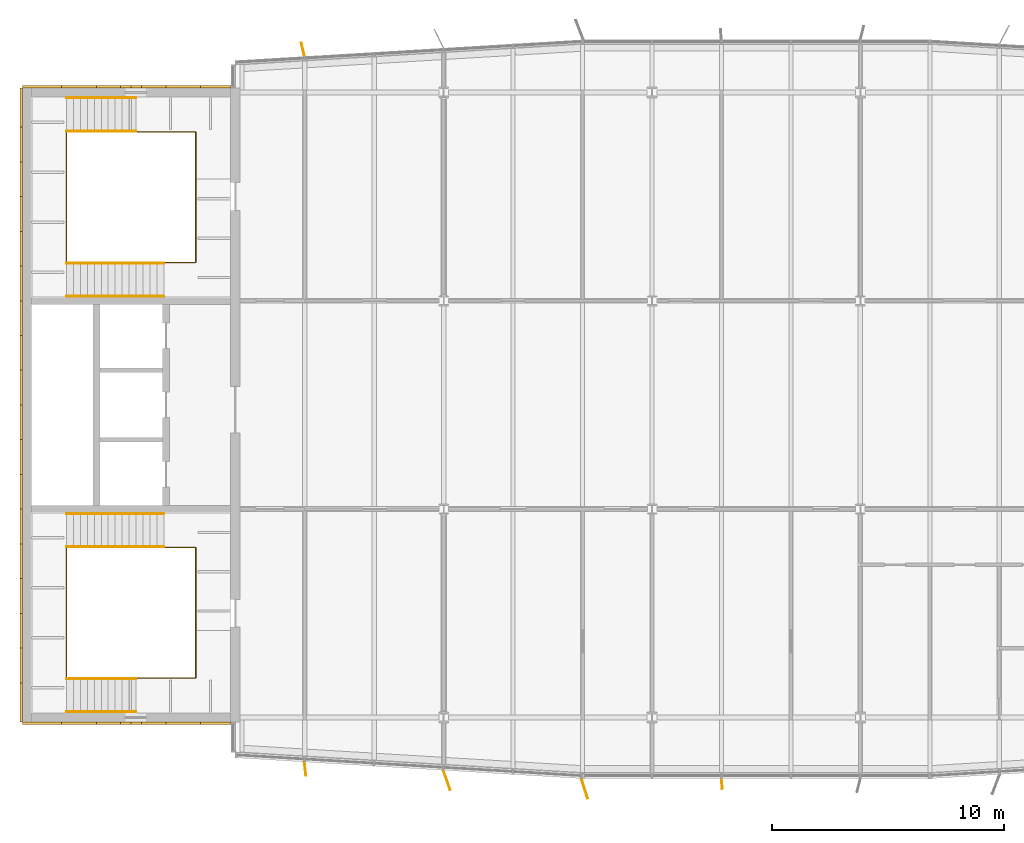
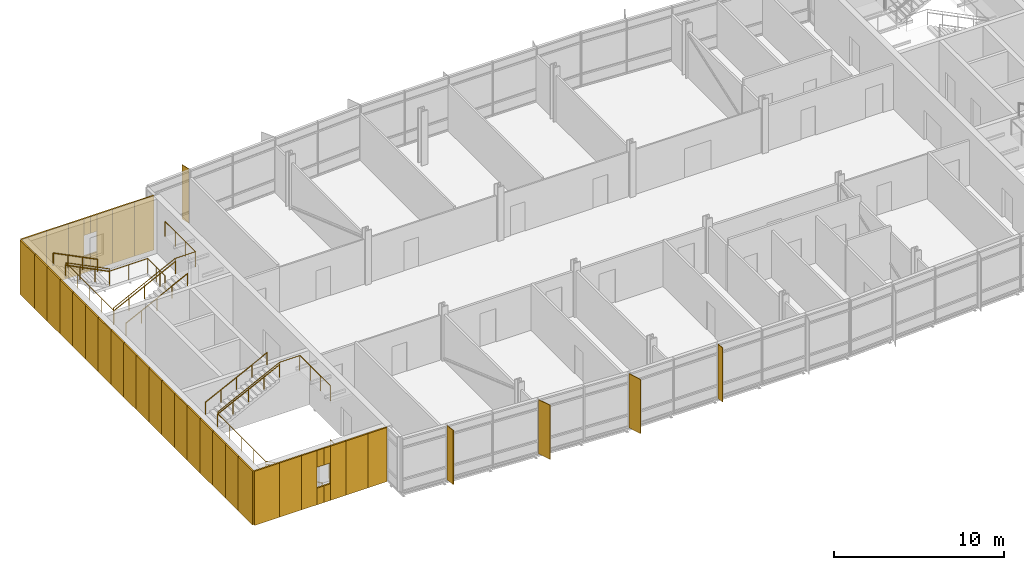
# One storey, part 15 of 17: 38 coverings, 10 railings, 5 shading devices.
"""IFC4 building model written with IfcOpenShell, lengths in metres."""

from ifc_helpers import new_model, si_unit, direction, frame, origin, origin_2d, place, context, subcontext, project, spatial, rectangle, circle, extrude, material, layer, layer_set, type_object, element, save


model = new_model("IFC4")

# Units and contexts
model_context = context("Model", 3, precision=1e-05, world=origin(), true_north=direction((0.0, 1.0)))
body_context = subcontext(model_context, "Body", "Model", "MODEL_VIEW")
ifc_project = project(units=[si_unit("LENGTHUNIT", "METRE"), si_unit("AREAUNIT", "SQUARE_METRE"), si_unit("VOLUMEUNIT", "CUBIC_METRE"), si_unit("PLANEANGLEUNIT", "RADIAN"), si_unit("MASSUNIT", "GRAM", prefix="KILO")], contexts=[model_context])

# Site, building, storey
site_placement = place(None, origin())
site = spatial("IfcSite", under=ifc_project, at=site_placement, CompositionType="ELEMENT")
building_placement = place(site_placement, origin())
building = spatial("IfcBuilding", under=site, at=building_placement, Name="Azimuth Sports and Learning Centre", CompositionType="ELEMENT")
storey_placement = place(building_placement, frame((0.0, 0.0, 36.300048828125)))
storey = spatial("IfcBuildingStorey", under=building, at=storey_placement, Name="L07", CompositionType="ELEMENT", Elevation=36.300048828125)

# Coverings
ifc_material_1 = material(Name="Cladding panel")
ifc_layer_1 = layer(ifc_material_1, 0.10009765625)
ifc_layer_set_1 = layer_set([ifc_layer_1], Name="Cladding panel")
covering_type = type_object("IfcCoveringType", Name="Cladding panel 100", PredefinedType="CLADDING", material=ifc_layer_set_1)
covering_1_placement = place(storey_placement, frame((54.64990234375, 89.75, 0.0), z_axis=(0.0, 0.0, 1.0), x_axis=(1.0, 0.0, 0.0)))
element("IfcCovering", 1, at=covering_1_placement, inside=storey, type_object=covering_type, Name="Cladding panel S-CORE W L07 1", PredefinedType="CLADDING", context=body_context, shape_type="SweptSolid", body=[
    extrude(rectangle(XDim=1.699951171875, YDim=0.10009765625, at=origin_2d()), origin(), (0.0, 0.0, 1.0), 3.89990234375),
])
covering_2_placement = place(storey_placement, frame((56.25, 89.75, 0.0), z_axis=(0.0, 0.0, 1.0), x_axis=(1.0, 0.0, 0.0)))
element("IfcCovering", 2, at=covering_2_placement, inside=storey, type_object=covering_type, Name="Cladding panel S-CORE W L07 2", PredefinedType="CLADDING", context=body_context, shape_type="SweptSolid", body=[
    extrude(rectangle(XDim=1.5, YDim=0.10009765625, at=origin_2d()), origin(), (0.0, 0.0, 1.0), 3.89990234375),
])
covering_3_placement = place(storey_placement, frame((57.52490234375, 89.75, 0.0), z_axis=(0.0, 0.0, 1.0), x_axis=(1.0, 0.0, 0.0)))
element("IfcCovering", 3, at=covering_3_placement, inside=storey, type_object=covering_type, Name="Cladding panel S-CORE W L07 3", PredefinedType="CLADDING", context=body_context, shape_type="SweptSolid", body=[
    extrude(rectangle(XDim=1.050048828125, YDim=0.10009765625, at=origin_2d()), origin(), (0.0, 0.0, 1.0), 3.89990234375),
])
for number, where, z_axis, x_axis, name in (
    (4, (58.27490234375, 89.75, 0.0), (0.0, 0.0, 1.0), (1.0, 0.0, 0.0), "Cladding panel S-CORE W L07 4"),
    (5, (58.27490234375, 89.75, 2.7001953125), (0.0, 0.0, 1.0), (1.0, 0.0, 0.0), "Cladding panel S-CORE W L07 5"),
):
    element("IfcCovering", number, at=place(storey_placement, frame(where, z_axis=z_axis, x_axis=x_axis)), inside=storey, type_object=covering_type, Name=name, PredefinedType="CLADDING", context=body_context, shape_type="SweptSolid", body=[
        extrude(rectangle(XDim=0.449951171875, YDim=0.10009765625, at=origin_2d()), origin(), (0.0, 0.0, 1.0), 1.199951171875),
    ])
covering_4_placement = place(storey_placement, frame((59.47509765625, 89.75, 0.0), z_axis=(0.0, 0.0, 1.0), x_axis=(1.0, 0.0, 0.0)))
element("IfcCovering", 6, at=covering_4_placement, inside=storey, type_object=covering_type, Name="Cladding panel S-CORE W L07 6", PredefinedType="CLADDING", context=body_context, shape_type="SweptSolid", body=[
    extrude(rectangle(XDim=1.050048828125, YDim=0.10009765625, at=origin_2d()), origin(), (0.0, 0.0, 1.0), 3.89990234375),
])
for number, where, z_axis, x_axis, name in (
    (7, (58.72509765625, 89.75, 0.0), (0.0, 0.0, 1.0), (1.0, 0.0, 0.0), "Cladding panel S-CORE W L07 7"),
    (8, (58.72509765625, 89.75, 2.7001953125), (0.0, 0.0, 1.0), (1.0, 0.0, 0.0), "Cladding panel S-CORE W L07 8"),
):
    element("IfcCovering", number, at=place(storey_placement, frame(where, z_axis=z_axis, x_axis=x_axis)), inside=storey, type_object=covering_type, Name=name, PredefinedType="CLADDING", context=body_context, shape_type="SweptSolid", body=[
        extrude(rectangle(XDim=0.449951171875, YDim=0.10009765625, at=origin_2d()), origin(), (0.0, 0.0, 1.0), 1.199951171875),
    ])
covering_5_placement = place(storey_placement, frame((60.75, 89.75, 0.0), z_axis=(0.0, 0.0, 1.0), x_axis=(1.0, 0.0, 0.0)))
element("IfcCovering", 9, at=covering_5_placement, inside=storey, type_object=covering_type, Name="Cladding panel S-CORE W L07 9", PredefinedType="CLADDING", context=body_context, shape_type="SweptSolid", body=[
    extrude(rectangle(XDim=1.5, YDim=0.10009765625, at=origin_2d()), origin(), (0.0, 0.0, 1.0), 3.89990234375),
])
for number, where, z_axis, x_axis, name in (
    (10, (62.159912109375, 89.75, 0.0), (0.0, 0.0, 1.0), (1.0, 0.0, 0.0), "Cladding panel S-CORE W L07 10"),
    (11, (62.159912109375, 117.25, 0.0), (0.0, 0.0, 1.0), (-1.0, 0.0, 0.0), "Cladding panel N-CORE W L07 1"),
):
    element("IfcCovering", number, at=place(storey_placement, frame(where, z_axis=z_axis, x_axis=x_axis)), inside=storey, type_object=covering_type, Name=name, PredefinedType="CLADDING", context=body_context, shape_type="SweptSolid", body=[
        extrude(rectangle(XDim=1.320068359375, YDim=0.10009765625, at=origin_2d()), origin(), (0.0, 0.0, 1.0), 3.89990234375),
    ])
covering_6_placement = place(storey_placement, frame((60.75, 117.25, 0.0), z_axis=(0.0, 0.0, 1.0), x_axis=(-1.0, 0.0, 0.0)))
element("IfcCovering", 12, at=covering_6_placement, inside=storey, type_object=covering_type, Name="Cladding panel N-CORE W L07 2", PredefinedType="CLADDING", context=body_context, shape_type="SweptSolid", body=[
    extrude(rectangle(XDim=1.5, YDim=0.10009765625, at=origin_2d()), origin(), (0.0, 0.0, 1.0), 3.89990234375),
])
covering_7_placement = place(storey_placement, frame((59.47509765625, 117.25, 0.0), z_axis=(0.0, 0.0, 1.0), x_axis=(-1.0, 0.0, 0.0)))
element("IfcCovering", 13, at=covering_7_placement, inside=storey, type_object=covering_type, Name="Cladding panel N-CORE W L07 3", PredefinedType="CLADDING", context=body_context, shape_type="SweptSolid", body=[
    extrude(rectangle(XDim=1.050048828125, YDim=0.10009765625, at=origin_2d()), origin(), (0.0, 0.0, 1.0), 3.89990234375),
])
for number, where, z_axis, x_axis, name in (
    (14, (58.72509765625, 117.25, 0.0), (0.0, 0.0, 1.0), (-1.0, 0.0, 0.0), "Cladding panel N-CORE W L07 4"),
    (15, (58.72509765625, 117.25, 2.7001953125), (0.0, 0.0, 1.0), (-1.0, 0.0, 0.0), "Cladding panel N-CORE W L07 5"),
):
    element("IfcCovering", number, at=place(storey_placement, frame(where, z_axis=z_axis, x_axis=x_axis)), inside=storey, type_object=covering_type, Name=name, PredefinedType="CLADDING", context=body_context, shape_type="SweptSolid", body=[
        extrude(rectangle(XDim=0.449951171875, YDim=0.10009765625, at=origin_2d()), origin(), (0.0, 0.0, 1.0), 1.199951171875),
    ])
covering_8_placement = place(storey_placement, frame((57.52490234375, 117.25, 0.0), z_axis=(0.0, 0.0, 1.0), x_axis=(-1.0, 0.0, 0.0)))
element("IfcCovering", 16, at=covering_8_placement, inside=storey, type_object=covering_type, Name="Cladding panel N-CORE W L07 6", PredefinedType="CLADDING", context=body_context, shape_type="SweptSolid", body=[
    extrude(rectangle(XDim=1.050048828125, YDim=0.10009765625, at=origin_2d()), origin(), (0.0, 0.0, 1.0), 3.89990234375),
])
for number, where, z_axis, x_axis, name in (
    (17, (58.27490234375, 117.25, 0.0), (0.0, 0.0, 1.0), (-1.0, 0.0, 0.0), "Cladding panel N-CORE W L07 7"),
    (18, (58.27490234375, 117.25, 2.7001953125), (0.0, 0.0, 1.0), (-1.0, 0.0, 0.0), "Cladding panel N-CORE W L07 8"),
):
    element("IfcCovering", number, at=place(storey_placement, frame(where, z_axis=z_axis, x_axis=x_axis)), inside=storey, type_object=covering_type, Name=name, PredefinedType="CLADDING", context=body_context, shape_type="SweptSolid", body=[
        extrude(rectangle(XDim=0.449951171875, YDim=0.10009765625, at=origin_2d()), origin(), (0.0, 0.0, 1.0), 1.199951171875),
    ])
covering_9_placement = place(storey_placement, frame((56.25, 117.25, 0.0), z_axis=(0.0, 0.0, 1.0), x_axis=(-1.0, 0.0, 0.0)))
element("IfcCovering", 19, at=covering_9_placement, inside=storey, type_object=covering_type, Name="Cladding panel N-CORE W L07 9", PredefinedType="CLADDING", context=body_context, shape_type="SweptSolid", body=[
    extrude(rectangle(XDim=1.5, YDim=0.10009765625, at=origin_2d()), origin(), (0.0, 0.0, 1.0), 3.89990234375),
])
for number, where, z_axis, x_axis, name in (
    (20, (54.64990234375, 117.25, 0.0), (0.0, 0.0, 1.0), (-1.0, 0.0, 0.0), "Cladding panel N-CORE W L07 10"),
    (21, (53.75, 116.35009765625, 0.0), (0.0, 0.0, 1.0), (0.0, -1.0, 0.0), "Cladding panel W-CORE W L07 1"),
):
    element("IfcCovering", number, at=place(storey_placement, frame(where, z_axis=z_axis, x_axis=x_axis)), inside=storey, type_object=covering_type, Name=name, PredefinedType="CLADDING", context=body_context, shape_type="SweptSolid", body=[
        extrude(rectangle(XDim=1.699951171875, YDim=0.10009765625, at=origin_2d()), origin(), (0.0, 0.0, 1.0), 3.89990234375),
    ])
for number, where, z_axis, x_axis, name in (
    (22, (53.75, 114.75, 0.0), (0.0, 0.0, 1.0), (0.0, -1.0, 0.0), "Cladding panel W-CORE W L07 2"),
    (23, (53.75, 113.25, 0.0), (0.0, 0.0, 1.0), (0.0, -1.0, 0.0), "Cladding panel W-CORE W L07 3"),
    (24, (53.75, 111.75, 0.0), (0.0, 0.0, 1.0), (0.0, -1.0, 0.0), "Cladding panel W-CORE W L07 4"),
    (25, (53.75, 110.25, 0.0), (0.0, 0.0, 1.0), (0.0, -1.0, 0.0), "Cladding panel W-CORE W L07 5"),
    (26, (53.75, 108.75, 0.0), (0.0, 0.0, 1.0), (0.0, -1.0, 0.0), "Cladding panel W-CORE W L07 6"),
    (27, (53.75, 107.25, 0.0), (0.0, 0.0, 1.0), (0.0, -1.0, 0.0), "Cladding panel W-CORE W L07 7"),
    (28, (53.75, 105.75, 0.0), (0.0, 0.0, 1.0), (0.0, -1.0, 0.0), "Cladding panel W-CORE W L07 8"),
    (29, (53.75, 104.25, 0.0), (0.0, 0.0, 1.0), (0.0, -1.0, 0.0), "Cladding panel W-CORE W L07 9"),
    (30, (53.75, 102.75, 0.0), (0.0, 0.0, 1.0), (0.0, -1.0, 0.0), "Cladding panel W-CORE W L07 10"),
    (31, (53.75, 101.25, 0.0), (0.0, 0.0, 1.0), (0.0, -1.0, 0.0), "Cladding panel W-CORE W L07 11"),
    (32, (53.75, 99.75, 0.0), (0.0, 0.0, 1.0), (0.0, -1.0, 0.0), "Cladding panel W-CORE W L07 12"),
    (33, (53.75, 98.25, 0.0), (0.0, 0.0, 1.0), (0.0, -1.0, 0.0), "Cladding panel W-CORE W L07 13"),
    (34, (53.75, 96.75, 0.0), (0.0, 0.0, 1.0), (0.0, -1.0, 0.0), "Cladding panel W-CORE W L07 14"),
    (35, (53.75, 95.25, 0.0), (0.0, 0.0, 1.0), (0.0, -1.0, 0.0), "Cladding panel W-CORE W L07 15"),
    (36, (53.75, 93.75, 0.0), (0.0, 0.0, 1.0), (0.0, -1.0, 0.0), "Cladding panel W-CORE W L07 16"),
    (37, (53.75, 92.25, 0.0), (0.0, 0.0, 1.0), (0.0, -1.0, 0.0), "Cladding panel W-CORE W L07 17"),
):
    element("IfcCovering", number, at=place(storey_placement, frame(where, z_axis=z_axis, x_axis=x_axis)), inside=storey, type_object=covering_type, Name=name, PredefinedType="CLADDING", context=body_context, shape_type="SweptSolid", body=[
        extrude(rectangle(XDim=1.5, YDim=0.10009765625, at=origin_2d()), origin(), (0.0, 0.0, 1.0), 3.89990234375),
    ])
covering_10_placement = place(storey_placement, frame((53.75, 90.64990234375, 0.0), z_axis=(0.0, 0.0, 1.0), x_axis=(0.0, -1.0, 0.0)))
element("IfcCovering", 38, at=covering_10_placement, inside=storey, type_object=covering_type, Name="Cladding panel W-CORE W L07 18", PredefinedType="CLADDING", context=body_context, shape_type="SweptSolid", body=[
    extrude(rectangle(XDim=1.699951171875, YDim=0.10009765625, at=origin_2d()), origin(), (0.0, 0.0, 1.0), 3.89990234375),
])

# Shading devices
ifc_material_2 = material(Name="Aluminium", Category="aluminium")
ifc_layer_2 = layer(ifc_material_2, 0.0400390625)
ifc_layer_set_2 = layer_set([ifc_layer_2], Name="Aluminium")
shading_device_type_1 = type_object("IfcShadingDeviceType", Name="Shading fin 450", PredefinedType="JALOUSIE", material=ifc_layer_set_2)
shading_device_placement = place(storey_placement, frame((84.01953125, 87.1357421875, 0.0), z_axis=(0.0, 0.0, 1.0), x_axis=(0.086979796274, -0.996210075757, 0.0)))
element("IfcShadingDevice", 39, at=shading_device_placement, inside=storey, type_object=shading_device_type_1, Name="Shading fin F07-004", PredefinedType="JALOUSIE", context=body_context, shape_type="SweptSolid", body=[
    extrude(rectangle(XDim=0.449951171875, YDim=0.0400390625, at=origin_2d()), origin(), (0.0, 0.0, 1.0), 3.89990234375),
])
ifc_material_3 = material(Name="Aluminium", Category="aluminium")
ifc_layer_3 = layer(ifc_material_3, 0.0400390625)
ifc_layer_set_3 = layer_set([ifc_layer_3], Name="Aluminium")
shading_device_type_2 = type_object("IfcShadingDeviceType", Name="Shading fin 600", PredefinedType="JALOUSIE", material=ifc_layer_set_3)
for number, where, z_axis, x_axis, name in (
    (40, (66.018798828125, 87.7822265625, 0.0), (0.0, 0.0, 1.0), (0.110221187796, -0.993907083062, 0.0), "Shading fin F07-001"),
    (41, (65.920654296875, 118.851806640625, 0.0), (0.0, 0.0, 1.0), (-0.228270881104, 0.973597660659, 0.0), "Shading fin F07-014"),
):
    element("IfcShadingDevice", number, at=place(storey_placement, frame(where, z_axis=z_axis, x_axis=x_axis)), inside=storey, type_object=shading_device_type_2, Name=name, PredefinedType="JALOUSIE", context=body_context, shape_type="SweptSolid", body=[
        extrude(rectangle(XDim=0.60009765625, YDim=0.0400390625, at=origin_2d()), origin(), (0.0, 0.0, 1.0), 3.89990234375),
    ])
ifc_material_4 = material(Name="Aluminium", Category="aluminium")
ifc_layer_4 = layer(ifc_material_4, 0.0400390625)
ifc_layer_set_4 = layer_set([ifc_layer_4], Name="Aluminium")
shading_device_type_3 = type_object("IfcShadingDeviceType", Name="Shading fin 900", PredefinedType="JALOUSIE", material=ifc_layer_set_4)
for number, where, z_axis, x_axis, name in (
    (42, (72.135009765625, 87.2958984375, 0.0), (0.0, 0.0, 1.0), (0.332025201964, -0.94327051542, 0.0), "Shading fin F07-002"),
    (43, (78.0849609375, 86.93310546875, 0.0), (0.0, 0.0, 1.0), (0.298224547315, -0.954495740891, 0.0), "Shading fin F07-003"),
):
    element("IfcShadingDevice", number, at=place(storey_placement, frame(where, z_axis=z_axis, x_axis=x_axis)), inside=storey, type_object=shading_device_type_3, Name=name, PredefinedType="JALOUSIE", context=body_context, shape_type="SweptSolid", body=[
        extrude(rectangle(XDim=0.89990234375, YDim=0.0400390625, at=origin_2d()), origin(), (0.0, 0.0, 1.0), 3.89990234375),
    ])

# Railings
ifc_material_5 = material(Name="Stainless steel", Category="steel")
railing_type_1 = type_object("IfcRailingType", Name="Stair guard 1100", PredefinedType="GUARDRAIL", material=ifc_material_5)
railing_1_placement = place(storey_placement, frame((61.2900390625, 93.75, 0.0)))
element("IfcRailing", 44, at=railing_1_placement, inside=storey, type_object=railing_type_1, Name="Guard W1 L07 well", PredefinedType="GUARDRAIL", context=body_context, shape_type="SweptSolid", body=[
    extrude(circle(Radius=0.02392578125, at=origin_2d()), frame((0.0, 0.0, 1.076171875), z_axis=(0.0, -1.0, 0.0), x_axis=(1.0, 0.0, 0.0)), (0.0, 0.0, 1.0), 2.0400390625),
    extrude(circle(Radius=0.02392578125, at=origin_2d()), frame((0.0, -2.0400390625, 1.076171875), z_axis=(-1.0, 0.0, 0.0), x_axis=(0.0, -1.0, 0.0)), (0.0, 0.0, 1.0), 2.580078125),
    extrude(circle(Radius=0.02392578125, at=origin_2d()), frame((-2.580078125, -2.0400390625, 1.076171875), z_axis=(0.0, 0.0, 1.0), x_axis=(1.0, 0.0, 0.0)), (0.0, 0.0, 1.0), 0.14990234375),
    extrude(circle(Radius=0.02392578125, at=origin_2d()), frame((-2.580078125, -2.0400390625, 1.22607421875), z_axis=(-0.894427191, 0.0, 0.4472135955), x_axis=(0.0, -1.0, 0.0)), (0.0, 0.0, 1.0), 3.35400390625),
    extrude(circle(Radius=0.02392578125, at=origin_2d()), frame((-5.580078125, -2.0400390625, 2.72607421875), z_axis=(0.0, 1.0, 0.0), x_axis=(-1.0, 0.0, 0.0)), (0.0, 0.0, 1.0), 5.630126953125),
    extrude(circle(Radius=0.02392578125, at=origin_2d()), frame((-5.580078125, 3.590087890625, 2.72607421875), z_axis=(0.0, 0.0, 1.0), x_axis=(1.0, 0.0, 0.0)), (0.0, 0.0, 1.0), 0.150146484375),
    extrude(circle(Radius=0.02392578125, at=origin_2d()), frame((-5.580078125, 3.590087890625, 2.8759765625), z_axis=(0.894437589381, 0.0, 0.447192798132), x_axis=(0.0, 1.0, 0.0)), (0.0, 0.0, 1.0), 4.695556640625),
    extrude(circle(Radius=0.02392578125, at=origin_2d()), frame((-1.380126953125, 3.590087890625, 4.97607421875), z_axis=(1.0, 0.0, 0.0), x_axis=(0.0, 1.0, 0.0)), (0.0, 0.0, 1.0), 1.380126953125),
    extrude(circle(Radius=0.02392578125, at=origin_2d()), frame((0.0, 3.590087890625, 4.97607421875), z_axis=(0.0, -1.0, 0.0), x_axis=(1.0, 0.0, 0.0)), (0.0, 0.0, 1.0), 3.590087890625),
    extrude(circle(Radius=0.01611328125, at=origin_2d()), origin(), (0.0, 0.0, 1.0), 1.052001953125),
    extrude(circle(Radius=0.01611328125, at=origin_2d()), frame((0.0, -1.02001953125, 0.0)), (0.0, 0.0, 1.0), 1.052001953125),
    extrude(circle(Radius=0.01611328125, at=origin_2d()), frame((0.0, -2.0400390625, 0.0)), (0.0, 0.0, 1.0), 1.052001953125),
    extrude(circle(Radius=0.01611328125, at=origin_2d()), frame((-1.2900390625, -2.0400390625, 0.0)), (0.0, 0.0, 1.0), 1.052001953125),
    extrude(circle(Radius=0.01611328125, at=origin_2d()), frame((-2.580078125, -2.0400390625, 0.0)), (0.0, 0.0, 1.0), 1.052001953125),
    extrude(circle(Radius=0.01611328125, at=origin_2d()), frame((-2.580078125, -2.0400390625, 0.14990234375)), (0.0, 0.0, 1.0), 1.052001953125),
    extrude(circle(Radius=0.01611328125, at=origin_2d()), frame((-3.580078125, -2.0400390625, 0.64990234375)), (0.0, 0.0, 1.0), 1.052001953125),
    extrude(circle(Radius=0.01611328125, at=origin_2d()), frame((-4.580078125, -2.0400390625, 1.14990234375)), (0.0, 0.0, 1.0), 1.052001953125),
    extrude(circle(Radius=0.01611328125, at=origin_2d()), frame((-5.580078125, -2.0400390625, 1.64990234375)), (0.0, 0.0, 1.0), 1.052001953125),
    extrude(circle(Radius=0.01611328125, at=origin_2d()), frame((-5.580078125, -0.632568359375, 1.64990234375)), (0.0, 0.0, 1.0), 1.052001953125),
    extrude(circle(Radius=0.01611328125, at=origin_2d()), frame((-5.580078125, 0.77490234375, 1.64990234375)), (0.0, 0.0, 1.0), 1.052001953125),
    extrude(circle(Radius=0.01611328125, at=origin_2d()), frame((-5.580078125, 2.1826171875, 1.64990234375)), (0.0, 0.0, 1.0), 1.052001953125),
    extrude(circle(Radius=0.01611328125, at=origin_2d()), frame((-5.580078125, 3.590087890625, 1.64990234375)), (0.0, 0.0, 1.0), 1.052001953125),
    extrude(circle(Radius=0.01611328125, at=origin_2d()), frame((-5.580078125, 3.590087890625, 1.800048828125)), (0.0, 0.0, 1.0), 1.052001953125),
    extrude(circle(Radius=0.01611328125, at=origin_2d()), frame((-4.530029296875, 3.590087890625, 2.324951171875)), (0.0, 0.0, 1.0), 1.052001953125),
    extrude(circle(Radius=0.01611328125, at=origin_2d()), frame((-3.47998046875, 3.590087890625, 2.85009765625)), (0.0, 0.0, 1.0), 1.052001953125),
    extrude(circle(Radius=0.01611328125, at=origin_2d()), frame((-2.43017578125, 3.590087890625, 3.375)), (0.0, 0.0, 1.0), 1.052001953125),
    extrude(circle(Radius=0.01611328125, at=origin_2d()), frame((-1.380126953125, 3.590087890625, 3.89990234375)), (0.0, 0.0, 1.0), 1.052001953125),
    extrude(circle(Radius=0.01611328125, at=origin_2d()), frame((0.0, 3.590087890625, 3.89990234375)), (0.0, 0.0, 1.0), 1.052001953125),
    extrude(circle(Radius=0.01611328125, at=origin_2d()), frame((0.0, 2.393310546875, 3.89990234375)), (0.0, 0.0, 1.0), 1.052001953125),
    extrude(circle(Radius=0.01611328125, at=origin_2d()), frame((0.0, 1.19677734375, 3.89990234375)), (0.0, 0.0, 1.0), 1.052001953125),
    extrude(circle(Radius=0.01611328125, at=origin_2d()), frame((0.0, 0.0, 3.89990234375)), (0.0, 0.0, 1.0), 1.052001953125),
])
railing_2_placement = place(storey_placement, frame((61.2900390625, 113.25, 0.0)))
element("IfcRailing", 45, at=railing_2_placement, inside=storey, type_object=railing_type_1, Name="Guard W2 L07 well", PredefinedType="GUARDRAIL", context=body_context, shape_type="SweptSolid", body=[
    extrude(circle(Radius=0.02392578125, at=origin_2d()), frame((0.0, 0.0, 1.076171875), z_axis=(0.0, 1.0, 0.0), x_axis=(-1.0, 0.0, 0.0)), (0.0, 0.0, 1.0), 2.0400390625),
    extrude(circle(Radius=0.02392578125, at=origin_2d()), frame((0.0, 2.0400390625, 1.076171875), z_axis=(-1.0, 0.0, 0.0), x_axis=(0.0, -1.0, 0.0)), (0.0, 0.0, 1.0), 2.580078125),
    extrude(circle(Radius=0.02392578125, at=origin_2d()), frame((-2.580078125, 2.0400390625, 1.076171875), z_axis=(0.0, 0.0, 1.0), x_axis=(1.0, 0.0, 0.0)), (0.0, 0.0, 1.0), 0.14990234375),
    extrude(circle(Radius=0.02392578125, at=origin_2d()), frame((-2.580078125, 2.0400390625, 1.22607421875), z_axis=(-0.894427191, 0.0, 0.4472135955), x_axis=(0.0, -1.0, 0.0)), (0.0, 0.0, 1.0), 3.35400390625),
    extrude(circle(Radius=0.02392578125, at=origin_2d()), frame((-5.580078125, 2.0400390625, 2.72607421875), z_axis=(0.0, -1.0, 0.0), x_axis=(1.0, 0.0, 0.0)), (0.0, 0.0, 1.0), 5.630126953125),
    extrude(circle(Radius=0.02392578125, at=origin_2d()), frame((-5.580078125, -3.590087890625, 2.72607421875), z_axis=(0.0, 0.0, 1.0), x_axis=(1.0, 0.0, 0.0)), (0.0, 0.0, 1.0), 0.150146484375),
    extrude(circle(Radius=0.02392578125, at=origin_2d()), frame((-5.580078125, -3.590087890625, 2.8759765625), z_axis=(0.894437589381, 0.0, 0.447192798132), x_axis=(0.0, 1.0, 0.0)), (0.0, 0.0, 1.0), 4.695556640625),
    extrude(circle(Radius=0.02392578125, at=origin_2d()), frame((-1.380126953125, -3.590087890625, 4.97607421875), z_axis=(1.0, 0.0, 0.0), x_axis=(0.0, 1.0, 0.0)), (0.0, 0.0, 1.0), 1.380126953125),
    extrude(circle(Radius=0.02392578125, at=origin_2d()), frame((0.0, -3.590087890625, 4.97607421875), z_axis=(0.0, 1.0, 0.0), x_axis=(-1.0, 0.0, 0.0)), (0.0, 0.0, 1.0), 3.590087890625),
    extrude(circle(Radius=0.01611328125, at=origin_2d()), origin(), (0.0, 0.0, 1.0), 1.052001953125),
    extrude(circle(Radius=0.01611328125, at=origin_2d()), frame((0.0, 1.02001953125, 0.0)), (0.0, 0.0, 1.0), 1.052001953125),
    extrude(circle(Radius=0.01611328125, at=origin_2d()), frame((0.0, 2.0400390625, 0.0)), (0.0, 0.0, 1.0), 1.052001953125),
    extrude(circle(Radius=0.01611328125, at=origin_2d()), frame((-1.2900390625, 2.0400390625, 0.0)), (0.0, 0.0, 1.0), 1.052001953125),
    extrude(circle(Radius=0.01611328125, at=origin_2d()), frame((-2.580078125, 2.0400390625, 0.0)), (0.0, 0.0, 1.0), 1.052001953125),
    extrude(circle(Radius=0.01611328125, at=origin_2d()), frame((-2.580078125, 2.0400390625, 0.14990234375)), (0.0, 0.0, 1.0), 1.052001953125),
    extrude(circle(Radius=0.01611328125, at=origin_2d()), frame((-3.580078125, 2.0400390625, 0.64990234375)), (0.0, 0.0, 1.0), 1.052001953125),
    extrude(circle(Radius=0.01611328125, at=origin_2d()), frame((-4.580078125, 2.0400390625, 1.14990234375)), (0.0, 0.0, 1.0), 1.052001953125),
    extrude(circle(Radius=0.01611328125, at=origin_2d()), frame((-5.580078125, 2.0400390625, 1.64990234375)), (0.0, 0.0, 1.0), 1.052001953125),
    extrude(circle(Radius=0.01611328125, at=origin_2d()), frame((-5.580078125, 0.632568359375, 1.64990234375)), (0.0, 0.0, 1.0), 1.052001953125),
    extrude(circle(Radius=0.01611328125, at=origin_2d()), frame((-5.580078125, -0.77490234375, 1.64990234375)), (0.0, 0.0, 1.0), 1.052001953125),
    extrude(circle(Radius=0.01611328125, at=origin_2d()), frame((-5.580078125, -2.1826171875, 1.64990234375)), (0.0, 0.0, 1.0), 1.052001953125),
    extrude(circle(Radius=0.01611328125, at=origin_2d()), frame((-5.580078125, -3.590087890625, 1.64990234375)), (0.0, 0.0, 1.0), 1.052001953125),
    extrude(circle(Radius=0.01611328125, at=origin_2d()), frame((-5.580078125, -3.590087890625, 1.800048828125)), (0.0, 0.0, 1.0), 1.052001953125),
    extrude(circle(Radius=0.01611328125, at=origin_2d()), frame((-4.530029296875, -3.590087890625, 2.324951171875)), (0.0, 0.0, 1.0), 1.052001953125),
    extrude(circle(Radius=0.01611328125, at=origin_2d()), frame((-3.47998046875, -3.590087890625, 2.85009765625)), (0.0, 0.0, 1.0), 1.052001953125),
    extrude(circle(Radius=0.01611328125, at=origin_2d()), frame((-2.43017578125, -3.590087890625, 3.375)), (0.0, 0.0, 1.0), 1.052001953125),
    extrude(circle(Radius=0.01611328125, at=origin_2d()), frame((-1.380126953125, -3.590087890625, 3.89990234375)), (0.0, 0.0, 1.0), 1.052001953125),
    extrude(circle(Radius=0.01611328125, at=origin_2d()), frame((0.0, -3.590087890625, 3.89990234375)), (0.0, 0.0, 1.0), 1.052001953125),
    extrude(circle(Radius=0.01611328125, at=origin_2d()), frame((0.0, -2.393310546875, 3.89990234375)), (0.0, 0.0, 1.0), 1.052001953125),
    extrude(circle(Radius=0.01611328125, at=origin_2d()), frame((0.0, -1.19677734375, 3.89990234375)), (0.0, 0.0, 1.0), 1.052001953125),
    extrude(circle(Radius=0.01611328125, at=origin_2d()), frame((0.0, 0.0, 3.89990234375)), (0.0, 0.0, 1.0), 1.052001953125),
])
ifc_material_6 = material(Name="Stainless steel", Category="steel")
railing_type_2 = type_object("IfcRailingType", Name="Stair handrail 42", PredefinedType="HANDRAIL", material=ifc_material_6)
for number, where, name in (
    (46, (58.7099609375, 91.679931640625, 0.14990234375), "Handrail W1 L07 flight 1 inner"),
    (47, (58.7099609375, 90.239990234375, 0.14990234375), "Handrail W1 L07 flight 1 outer"),
):
    element("IfcRailing", number, at=place(storey_placement, frame(where)), inside=storey, type_object=railing_type_2, Name=name, PredefinedType="HANDRAIL", context=body_context, shape_type="SweptSolid", body=[
        extrude(circle(Radius=0.02099609375, at=origin_2d()), frame((0.0, 0.0, 0.87890625), z_axis=(-0.894427191, 0.0, 0.4472135955), x_axis=(0.0, -1.0, 0.0)), (0.0, 0.0, 1.0), 3.35400390625),
        extrude(circle(Radius=0.01611328125, at=origin_2d()), origin(), (0.0, 0.0, 1.0), 0.85791015625),
        extrude(circle(Radius=0.01611328125, at=origin_2d()), frame((-1.0, 0.0, 0.5)), (0.0, 0.0, 1.0), 0.85791015625),
        extrude(circle(Radius=0.01611328125, at=origin_2d()), frame((-2.0, 0.0, 1.0)), (0.0, 0.0, 1.0), 0.85791015625),
        extrude(circle(Radius=0.01611328125, at=origin_2d()), frame((-3.0, 0.0, 1.5)), (0.0, 0.0, 1.0), 0.85791015625),
    ])
for number, where, name in (
    (48, (55.7099609375, 97.3701171875, 1.800048828125), "Handrail W1 L07 flight 2 inner"),
    (49, (55.7099609375, 98.81005859375, 1.800048828125), "Handrail W1 L07 flight 2 outer"),
):
    element("IfcRailing", number, at=place(storey_placement, frame(where)), inside=storey, type_object=railing_type_2, Name=name, PredefinedType="HANDRAIL", context=body_context, shape_type="SweptSolid", body=[
        extrude(circle(Radius=0.02099609375, at=origin_2d()), frame((0.0, 0.0, 0.87890625), z_axis=(0.894437589381, 0.0, 0.447192798132), x_axis=(0.0, 1.0, 0.0)), (0.0, 0.0, 1.0), 4.695556640625),
        extrude(circle(Radius=0.01611328125, at=origin_2d()), origin(), (0.0, 0.0, 1.0), 0.85791015625),
        extrude(circle(Radius=0.01611328125, at=origin_2d()), frame((1.050048828125, 0.0, 0.52490234375)), (0.0, 0.0, 1.0), 0.85791015625),
        extrude(circle(Radius=0.01611328125, at=origin_2d()), frame((2.10009765625, 0.0, 1.0498046875)), (0.0, 0.0, 1.0), 0.85791015625),
        extrude(circle(Radius=0.01611328125, at=origin_2d()), frame((3.14990234375, 0.0, 1.574951171875)), (0.0, 0.0, 1.0), 0.85791015625),
        extrude(circle(Radius=0.01611328125, at=origin_2d()), frame((4.199951171875, 0.0, 2.099853515625)), (0.0, 0.0, 1.0), 0.85791015625),
    ])
for number, where, name in (
    (50, (58.7099609375, 115.320068359375, 0.14990234375), "Handrail W2 L07 flight 1 inner"),
    (51, (58.7099609375, 116.760009765625, 0.14990234375), "Handrail W2 L07 flight 1 outer"),
):
    element("IfcRailing", number, at=place(storey_placement, frame(where)), inside=storey, type_object=railing_type_2, Name=name, PredefinedType="HANDRAIL", context=body_context, shape_type="SweptSolid", body=[
        extrude(circle(Radius=0.02099609375, at=origin_2d()), frame((0.0, 0.0, 0.87890625), z_axis=(-0.894427191, 0.0, 0.4472135955), x_axis=(0.0, -1.0, 0.0)), (0.0, 0.0, 1.0), 3.35400390625),
        extrude(circle(Radius=0.01611328125, at=origin_2d()), origin(), (0.0, 0.0, 1.0), 0.85791015625),
        extrude(circle(Radius=0.01611328125, at=origin_2d()), frame((-1.0, 0.0, 0.5)), (0.0, 0.0, 1.0), 0.85791015625),
        extrude(circle(Radius=0.01611328125, at=origin_2d()), frame((-2.0, 0.0, 1.0)), (0.0, 0.0, 1.0), 0.85791015625),
        extrude(circle(Radius=0.01611328125, at=origin_2d()), frame((-3.0, 0.0, 1.5)), (0.0, 0.0, 1.0), 0.85791015625),
    ])
for number, where, name in (
    (52, (55.7099609375, 109.6298828125, 1.800048828125), "Handrail W2 L07 flight 2 inner"),
    (53, (55.7099609375, 108.18994140625, 1.800048828125), "Handrail W2 L07 flight 2 outer"),
):
    element("IfcRailing", number, at=place(storey_placement, frame(where)), inside=storey, type_object=railing_type_2, Name=name, PredefinedType="HANDRAIL", context=body_context, shape_type="SweptSolid", body=[
        extrude(circle(Radius=0.02099609375, at=origin_2d()), frame((0.0, 0.0, 0.87890625), z_axis=(0.894437589381, 0.0, 0.447192798132), x_axis=(0.0, 1.0, 0.0)), (0.0, 0.0, 1.0), 4.695556640625),
        extrude(circle(Radius=0.01611328125, at=origin_2d()), origin(), (0.0, 0.0, 1.0), 0.85791015625),
        extrude(circle(Radius=0.01611328125, at=origin_2d()), frame((1.050048828125, 0.0, 0.52490234375)), (0.0, 0.0, 1.0), 0.85791015625),
        extrude(circle(Radius=0.01611328125, at=origin_2d()), frame((2.10009765625, 0.0, 1.0498046875)), (0.0, 0.0, 1.0), 0.85791015625),
        extrude(circle(Radius=0.01611328125, at=origin_2d()), frame((3.14990234375, 0.0, 1.574951171875)), (0.0, 0.0, 1.0), 0.85791015625),
        extrude(circle(Radius=0.01611328125, at=origin_2d()), frame((4.199951171875, 0.0, 2.099853515625)), (0.0, 0.0, 1.0), 0.85791015625),
    ])

save(model, "model.ifc")
